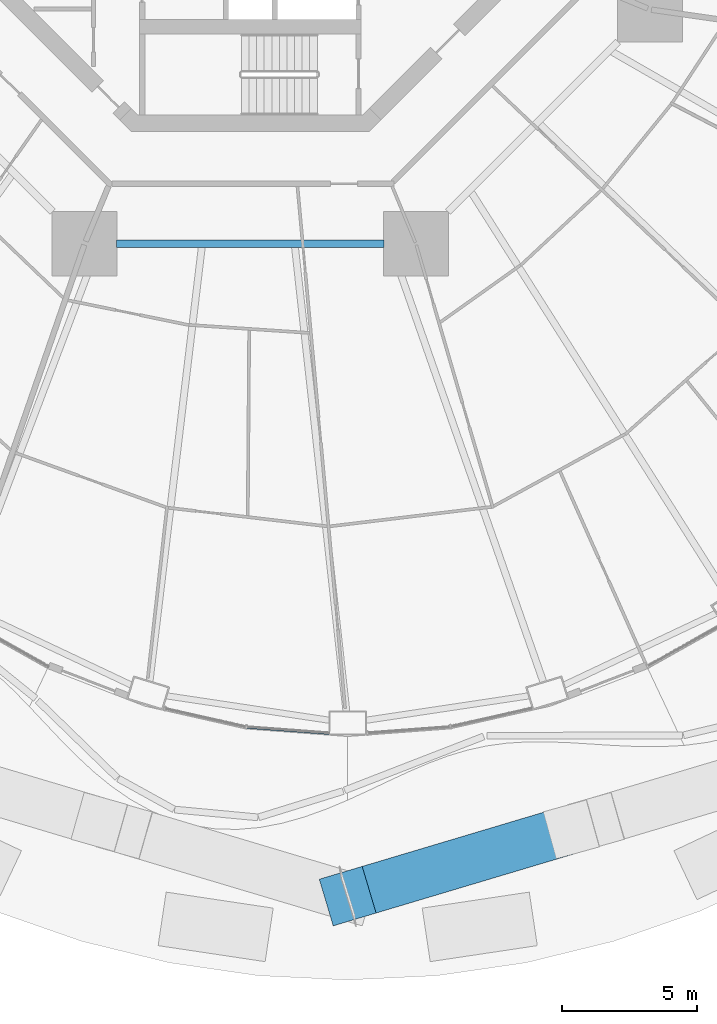
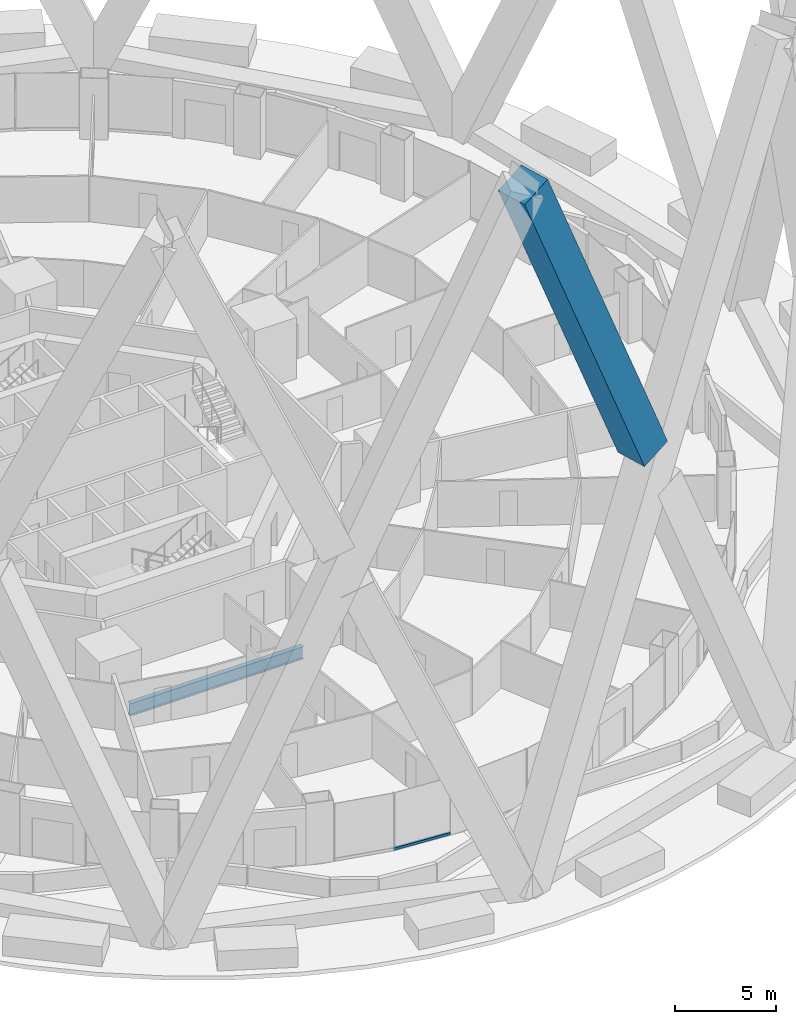
# One storey, part 7 of 42: 2 members, 1 beam, 1 element without a shape of its own.
"""IFC4 building model written with IfcOpenShell, lengths in metres."""

from ifc_helpers import new_model, si_unit, direction, frame, origin, origin_2d, place, context, subcontext, project, spatial, rectangle, i_section, extrude, material, layer, layer_set, material_profile, profile_set, type_object, element, aggregate, save


model = new_model("IFC4")

# Units and contexts
model_context = context("Model", 3, precision=1e-05, world=origin(), true_north=direction((0.0, 1.0)))
body_context = subcontext(model_context, "Body", "Model", "MODEL_VIEW")
ifc_project = project(units=[si_unit("LENGTHUNIT", "METRE"), si_unit("AREAUNIT", "SQUARE_METRE"), si_unit("VOLUMEUNIT", "CUBIC_METRE"), si_unit("PLANEANGLEUNIT", "RADIAN"), si_unit("MASSUNIT", "GRAM", prefix="KILO")], contexts=[model_context])

# Site, building, storey
site_placement = place(None, origin())
site = spatial("IfcSite", under=ifc_project, at=site_placement, CompositionType="ELEMENT")
building_placement = place(site_placement, origin())
building = spatial("IfcBuilding", under=site, at=building_placement, Name="Nagisa Residences", CompositionType="ELEMENT")
storey_placement = place(building_placement, frame((0.0, 0.0, 27.0)))
storey = spatial("IfcBuildingStorey", under=building, at=storey_placement, Name="L05", CompositionType="ELEMENT", Elevation=27.0)

# Curtain wall, member
ifc_material_1 = material(Name="Concrete-coloured aluminium curtain wall system", Category="concrete")
ifc_layer = layer(ifc_material_1, 0.159912109375)
ifc_layer_set = layer_set([ifc_layer], Name="CW1 CURTAIN WALL")
curtain_wall_type = type_object("IfcCurtainWallType", Name="CW1 CURTAIN WALL", PredefinedType="NOTDEFINED", material=ifc_layer_set)
curtain_wall_placement = place(storey_placement, origin())
curtain_wall = element("IfcCurtainWall", 1, at=curtain_wall_placement, inside=storey, type_object=curtain_wall_type, Name="cw:CW1:L05:35", PredefinedType="NOTDEFINED")
ifc_material_2 = material(Name="Concrete-coloured aluminium", Category="concrete")
ifc_material_profile_1 = material_profile(ifc_material_2, rectangle(XDim=0.1201171875, YDim=0.14990234375, at=origin_2d()), Name="CW1 TRANSOM 120x150")
ifc_profile_set_1 = profile_set([ifc_material_profile_1], Name="Concrete-coloured aluminium")
member_type_1 = type_object("IfcMemberType", Name="CW1 TRANSOM 120x150", PredefinedType="USERDEFINED", material=ifc_profile_set_1)
member_1_placement = place(storey_placement, frame((-0.17919921875, -32.637939453125, 0.074951171875), z_axis=(0.997230834878, -0.074368420505, 0.0), x_axis=(0.074368420505, 0.997230834878, 0.0)))
member_1 = element("IfcMember", 2, at=member_1_placement, type_object=member_type_1, Name="CW1 transom", ObjectType="TRANSOM", PredefinedType="USERDEFINED", context=body_context, shape_type="SweptSolid", body=[
    extrude(rectangle(XDim=0.1201171875, YDim=0.14990234375, at=origin_2d()), origin(), (0.0, 0.0, 1.0), 3.095703125),
])
aggregate(curtain_wall, [member_1])

# Member
ifc_material_3 = material(Name="Concrete C80", Category="concrete")
ifc_material_profile_2 = material_profile(ifc_material_3, rectangle(XDim=1.800048828125, YDim=1.800048828125, at=origin_2d()), Name="C80 1800x1800")
ifc_profile_set_2 = profile_set([ifc_material_profile_2], Name="Concrete C80")
member_type_2 = type_object("IfcMemberType", Name="Cage diagonal 1 C80 1800x1800", PredefinedType="BRACE", material=ifc_profile_set_2)
member_2_placement = place(storey_placement, frame((11.863525390625, -36.431884765625, 22.42626953125), z_axis=(-0.376639465806, -0.1124899802, 0.919504604204), x_axis=(0.286176350626, -0.958176965045, 0.0)))
element("IfcMember", 3, at=member_2_placement, inside=storey, type_object=member_type_2, Name="mem:L05:cg1d120b", PredefinedType="BRACE", context=body_context, shape_type="SweptSolid", body=[
    extrude(rectangle(XDim=1.800048828125, YDim=1.800048828125, at=origin_2d()), origin(), (0.0, 0.0, 1.0), 21.93994140625),
])

# Beam
ifc_material_4 = material(Name="Steel ASTM A572 Gr 50", Category="steel")
ifc_material_profile_3 = material_profile(ifc_material_4, i_section(OverallWidth=0.264892578125, OverallDepth=0.7529296875, WebThickness=0.01318359375, FlangeThickness=0.01708984375, at=origin_2d()), Name="W760x147")
ifc_profile_set_3 = profile_set([ifc_material_profile_3], Name="Steel ASTM A572 Gr 50")
beam_type = type_object("IfcBeamType", Name="Inner ring beam W760x147", PredefinedType="BEAM", material=ifc_profile_set_3)
beam_placement = place(storey_placement, frame((-4.94287109375, -14.781982421875, -0.636474609375), z_axis=(1.0, 0.0, 0.0), x_axis=(0.0, 1.0, 0.0)))
element("IfcBeam", 4, at=beam_placement, inside=storey, type_object=beam_type, Name="beam:L05:ib6", PredefinedType="BEAM", context=body_context, shape_type="SweptSolid", body=[
    extrude(i_section(OverallWidth=0.264892578125, OverallDepth=0.7529296875, WebThickness=0.01318359375, FlangeThickness=0.01708984375, at=origin_2d()), origin(), (0.0, 0.0, 1.0), 9.8857421875),
])

save(model, "model.ifc")
